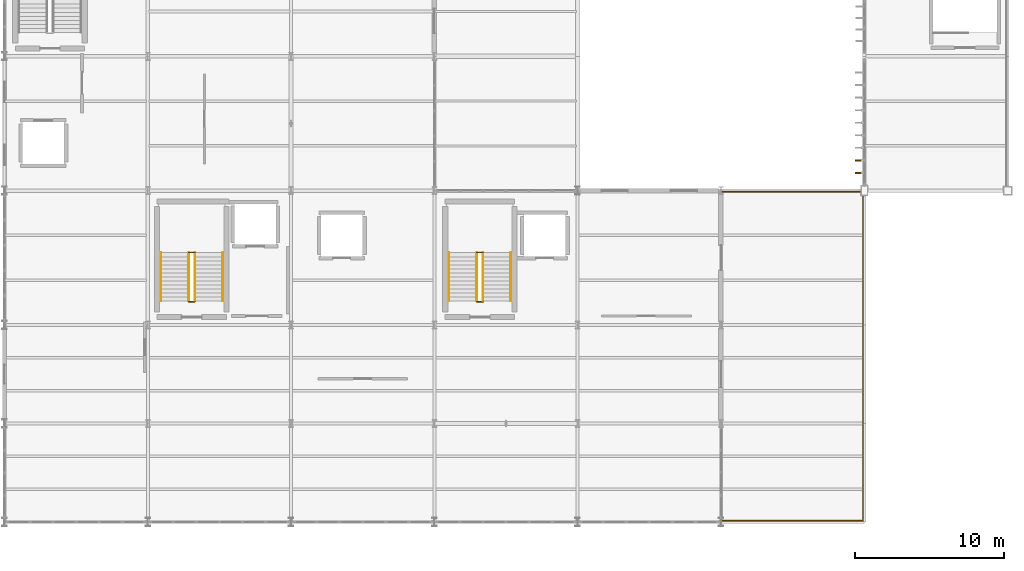
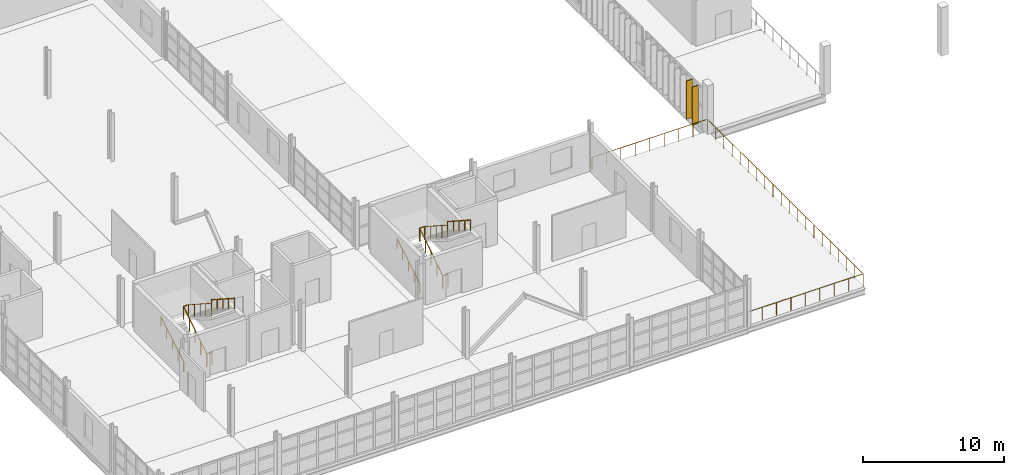
# One storey, part 76 of 82: 13 railings, 2 coverings.
"""IFC4 building model written with IfcOpenShell, lengths in metres."""

from ifc_helpers import new_model, si_unit, direction, frame, origin, origin_2d, place, context, subcontext, project, spatial, rectangle, circle, extrude, material, type_object, element, save


model = new_model("IFC4")

# Units and contexts
model_context = context("Model", 3, precision=1e-05, world=origin(), true_north=direction((0.0, 1.0)))
body_context = subcontext(model_context, "Body", "Model", "MODEL_VIEW")
ifc_project = project(units=[si_unit("LENGTHUNIT", "METRE"), si_unit("AREAUNIT", "SQUARE_METRE"), si_unit("VOLUMEUNIT", "CUBIC_METRE"), si_unit("PLANEANGLEUNIT", "RADIAN"), si_unit("MASSUNIT", "GRAM", prefix="KILO")], contexts=[model_context])

# Site, building, storey
site_placement = place(None, origin())
site = spatial("IfcSite", under=ifc_project, at=site_placement, CompositionType="ELEMENT")
building_placement = place(site_placement, origin())
building = spatial("IfcBuilding", under=site, at=building_placement, Name="Zarnetskaya Central Station", CompositionType="ELEMENT")
storey_placement = place(building_placement, frame((0.0, 0.0, 10.199951171875)))
storey = spatial("IfcBuildingStorey", under=building, at=storey_placement, Name="L02", CompositionType="ELEMENT", Elevation=10.199951171875)

# Coverings
ifc_material_1 = material(Name="Larch glulam GL28h", Category="wood")
covering_type = type_object("IfcCoveringType", Name="COV-LARCH-BLADE", PredefinedType="CLADDING", material=ifc_material_1)
for number, where, z_axis, x_axis, name in (
    (1, (57.25, 23.389892578125, 0.0), (0.0, 0.0, 1.0), (0.0, 1.0, 0.0), "Vertical GL28h larch gable screen blade CW-L02-088-01"),
    (2, (57.25, 24.22998046875, 0.0), (0.0, 0.0, 1.0), (0.0, 1.0, 0.0), "Vertical GL28h larch gable screen blade CW-L02-088-02"),
):
    element("IfcCovering", number, at=place(storey_placement, frame(where, z_axis=z_axis, x_axis=x_axis)), inside=storey, type_object=covering_type, Name=name, PredefinedType="CLADDING", context=body_context, shape_type="SweptSolid", body=[
        extrude(rectangle(XDim=0.090087890625, YDim=0.47998046875, at=origin_2d()), origin(), (0.0, 0.0, 1.0), 3.300048828125),
    ])

# Railings
ifc_material_2 = material(Name="Steel S355", Category="steel")
railing_type_1 = type_object("IfcRailingType", Name="RAIL-BAL-1100", PredefinedType="BALUSTRADE", material=ifc_material_2)
railing_1_placement = place(storey_placement, frame((48.080078125, 0.080078125, 0.0)))
element("IfcRailing", 3, at=railing_1_placement, inside=storey, type_object=railing_type_1, Name="Protective deck balustrade GRD-03", PredefinedType="BALUSTRADE", context=body_context, shape_type="SweptSolid", body=[
    extrude(circle(Radius=0.02392578125, at=origin_2d()), frame((0.0, 0.0, 1.09619140625), z_axis=(1.0, 0.0, 0.0), x_axis=(0.0, 1.0, 0.0)), (0.0, 0.0, 1.0), 9.43994140625),
    extrude(circle(Radius=0.02392578125, at=origin_2d()), frame((9.43994140625, 0.0, 1.09619140625), z_axis=(0.0, 1.0, 0.0), x_axis=(-1.0, 0.0, 0.0)), (0.0, 0.0, 1.0), 22.0400390625),
    extrude(circle(Radius=0.02392578125, at=origin_2d()), frame((9.43994140625, 22.0400390625, 1.09619140625), z_axis=(-1.0, 0.0, 0.0), x_axis=(0.0, -1.0, 0.0)), (0.0, 0.0, 1.0), 9.43994140625),
    extrude(circle(Radius=0.02099609375, at=origin_2d()), origin(), (0.0, 0.0, 1.0), 1.072021484375),
    extrude(circle(Radius=0.02099609375, at=origin_2d()), frame((1.179931640625, 0.0, 0.0)), (0.0, 0.0, 1.0), 1.072021484375),
    extrude(circle(Radius=0.02099609375, at=origin_2d()), frame((2.35986328125, 0.0, 0.0)), (0.0, 0.0, 1.0), 1.072021484375),
    extrude(circle(Radius=0.02099609375, at=origin_2d()), frame((3.5400390625, 0.0, 0.0)), (0.0, 0.0, 1.0), 1.072021484375),
    extrude(circle(Radius=0.02099609375, at=origin_2d()), frame((4.719970703125, 0.0, 0.0)), (0.0, 0.0, 1.0), 1.072021484375),
    extrude(circle(Radius=0.02099609375, at=origin_2d()), frame((5.89990234375, 0.0, 0.0)), (0.0, 0.0, 1.0), 1.072021484375),
    extrude(circle(Radius=0.02099609375, at=origin_2d()), frame((7.080078125, 0.0, 0.0)), (0.0, 0.0, 1.0), 1.072021484375),
    extrude(circle(Radius=0.02099609375, at=origin_2d()), frame((8.260009765625, 0.0, 0.0)), (0.0, 0.0, 1.0), 1.072021484375),
    extrude(circle(Radius=0.02099609375, at=origin_2d()), frame((9.43994140625, 0.0, 0.0)), (0.0, 0.0, 1.0), 1.072021484375),
    extrude(circle(Radius=0.02099609375, at=origin_2d()), frame((9.43994140625, 1.159912109375, 0.0)), (0.0, 0.0, 1.0), 1.072021484375),
    extrude(circle(Radius=0.02099609375, at=origin_2d()), frame((9.43994140625, 2.320068359375, 0.0)), (0.0, 0.0, 1.0), 1.072021484375),
    extrude(circle(Radius=0.02099609375, at=origin_2d()), frame((9.43994140625, 3.47998046875, 0.0)), (0.0, 0.0, 1.0), 1.072021484375),
    extrude(circle(Radius=0.02099609375, at=origin_2d()), frame((9.43994140625, 4.639892578125, 0.0)), (0.0, 0.0, 1.0), 1.072021484375),
    extrude(circle(Radius=0.02099609375, at=origin_2d()), frame((9.43994140625, 5.800048828125, 0.0)), (0.0, 0.0, 1.0), 1.072021484375),
    extrude(circle(Radius=0.02099609375, at=origin_2d()), frame((9.43994140625, 6.9599609375, 0.0)), (0.0, 0.0, 1.0), 1.072021484375),
    extrude(circle(Radius=0.02099609375, at=origin_2d()), frame((9.43994140625, 8.1201171875, 0.0)), (0.0, 0.0, 1.0), 1.072021484375),
    extrude(circle(Radius=0.02099609375, at=origin_2d()), frame((9.43994140625, 9.280029296875, 0.0)), (0.0, 0.0, 1.0), 1.072021484375),
    extrude(circle(Radius=0.02099609375, at=origin_2d()), frame((9.43994140625, 10.43994140625, 0.0)), (0.0, 0.0, 1.0), 1.072021484375),
    extrude(circle(Radius=0.02099609375, at=origin_2d()), frame((9.43994140625, 11.60009765625, 0.0)), (0.0, 0.0, 1.0), 1.072021484375),
    extrude(circle(Radius=0.02099609375, at=origin_2d()), frame((9.43994140625, 12.760009765625, 0.0)), (0.0, 0.0, 1.0), 1.072021484375),
    extrude(circle(Radius=0.02099609375, at=origin_2d()), frame((9.43994140625, 13.919921875, 0.0)), (0.0, 0.0, 1.0), 1.072021484375),
    extrude(circle(Radius=0.02099609375, at=origin_2d()), frame((9.43994140625, 15.080078125, 0.0)), (0.0, 0.0, 1.0), 1.072021484375),
    extrude(circle(Radius=0.02099609375, at=origin_2d()), frame((9.43994140625, 16.239990234375, 0.0)), (0.0, 0.0, 1.0), 1.072021484375),
    extrude(circle(Radius=0.02099609375, at=origin_2d()), frame((9.43994140625, 17.400146484375, 0.0)), (0.0, 0.0, 1.0), 1.072021484375),
    extrude(circle(Radius=0.02099609375, at=origin_2d()), frame((9.43994140625, 18.56005859375, 0.0)), (0.0, 0.0, 1.0), 1.072021484375),
    extrude(circle(Radius=0.02099609375, at=origin_2d()), frame((9.43994140625, 19.719970703125, 0.0)), (0.0, 0.0, 1.0), 1.072021484375),
    extrude(circle(Radius=0.02099609375, at=origin_2d()), frame((9.43994140625, 20.880126953125, 0.0)), (0.0, 0.0, 1.0), 1.072021484375),
    extrude(circle(Radius=0.02099609375, at=origin_2d()), frame((9.43994140625, 22.0400390625, 0.0)), (0.0, 0.0, 1.0), 1.072021484375),
    extrude(circle(Radius=0.02099609375, at=origin_2d()), frame((8.260009765625, 22.0400390625, 0.0)), (0.0, 0.0, 1.0), 1.072021484375),
    extrude(circle(Radius=0.02099609375, at=origin_2d()), frame((7.080078125, 22.0400390625, 0.0)), (0.0, 0.0, 1.0), 1.072021484375),
    extrude(circle(Radius=0.02099609375, at=origin_2d()), frame((5.89990234375, 22.0400390625, 0.0)), (0.0, 0.0, 1.0), 1.072021484375),
    extrude(circle(Radius=0.02099609375, at=origin_2d()), frame((4.719970703125, 22.0400390625, 0.0)), (0.0, 0.0, 1.0), 1.072021484375),
    extrude(circle(Radius=0.02099609375, at=origin_2d()), frame((3.5400390625, 22.0400390625, 0.0)), (0.0, 0.0, 1.0), 1.072021484375),
    extrude(circle(Radius=0.02099609375, at=origin_2d()), frame((2.35986328125, 22.0400390625, 0.0)), (0.0, 0.0, 1.0), 1.072021484375),
    extrude(circle(Radius=0.02099609375, at=origin_2d()), frame((1.179931640625, 22.0400390625, 0.0)), (0.0, 0.0, 1.0), 1.072021484375),
    extrude(circle(Radius=0.02099609375, at=origin_2d()), frame((0.0, 22.0400390625, 0.0)), (0.0, 0.0, 1.0), 1.072021484375),
])
railing_type_2 = type_object("IfcRailingType", Name="RAIL-HAND-900", PredefinedType="HANDRAIL", material=ifc_material_2)
railing_2_placement = place(storey_placement, frame((10.47998046875, 14.800048828125, 0.16162109375)))
element("IfcRailing", 4, at=railing_2_placement, inside=storey, type_object=railing_type_2, Name="Stair ST-C1 L02 flight 1 handrail", PredefinedType="HANDRAIL", context=body_context, shape_type="SweptSolid", body=[
    extrude(circle(Radius=0.02392578125, at=origin_2d()), frame((0.0, 0.0, 0.8759765625), z_axis=(0.0, 0.858136976317, 0.513420811691), x_axis=(-1.0, 0.0, 0.0)), (0.0, 0.0, 1.0), 3.775634765625),
    extrude(circle(Radius=0.02099609375, at=origin_2d()), origin(), (0.0, 0.0, 1.0), 0.851806640625),
    extrude(circle(Radius=0.02099609375, at=origin_2d()), frame((0.0, 0.81005859375, 0.484619140625)), (0.0, 0.0, 1.0), 0.851806640625),
    extrude(circle(Radius=0.02099609375, at=origin_2d()), frame((0.0, 1.6201171875, 0.96923828125)), (0.0, 0.0, 1.0), 0.851806640625),
    extrude(circle(Radius=0.02099609375, at=origin_2d()), frame((0.0, 2.429931640625, 1.453857421875)), (0.0, 0.0, 1.0), 0.851806640625),
    extrude(circle(Radius=0.02099609375, at=origin_2d()), frame((0.0, 3.239990234375, 1.9384765625)), (0.0, 0.0, 1.0), 0.851806640625),
])
railing_3_placement = place(storey_placement, frame((14.6201171875, 18.0400390625, 2.10009765625)))
element("IfcRailing", 5, at=railing_3_placement, inside=storey, type_object=railing_type_2, Name="Stair ST-C1 L02 flight 2 handrail", PredefinedType="HANDRAIL", context=body_context, shape_type="SweptSolid", body=[
    extrude(circle(Radius=0.02392578125, at=origin_2d()), frame((0.0, 0.0, 0.8759765625), z_axis=(0.0, -0.839169554186, 0.543869891911), x_axis=(1.0, 0.0, 0.0)), (0.0, 0.0, 1.0), 3.86083984375),
    extrude(circle(Radius=0.02099609375, at=origin_2d()), origin(), (0.0, 0.0, 1.0), 0.851806640625),
    extrude(circle(Radius=0.02099609375, at=origin_2d()), frame((0.0, -0.81005859375, 0.52490234375)), (0.0, 0.0, 1.0), 0.851806640625),
    extrude(circle(Radius=0.02099609375, at=origin_2d()), frame((0.0, -1.6201171875, 1.0498046875)), (0.0, 0.0, 1.0), 0.851806640625),
    extrude(circle(Radius=0.02099609375, at=origin_2d()), frame((0.0, -2.429931640625, 1.574951171875)), (0.0, 0.0, 1.0), 0.851806640625),
    extrude(circle(Radius=0.02099609375, at=origin_2d()), frame((0.0, -3.239990234375, 2.099853515625)), (0.0, 0.0, 1.0), 0.851806640625),
])
railing_4_placement = place(storey_placement, frame((29.780029296875, 14.800048828125, 0.16162109375)))
element("IfcRailing", 6, at=railing_4_placement, inside=storey, type_object=railing_type_2, Name="Stair ST-C3 L02 flight 1 handrail", PredefinedType="HANDRAIL", context=body_context, shape_type="SweptSolid", body=[
    extrude(circle(Radius=0.02392578125, at=origin_2d()), frame((0.0, 0.0, 0.8759765625), z_axis=(0.0, 0.858136976317, 0.513420811691), x_axis=(-1.0, 0.0, 0.0)), (0.0, 0.0, 1.0), 3.775634765625),
    extrude(circle(Radius=0.02099609375, at=origin_2d()), origin(), (0.0, 0.0, 1.0), 0.851806640625),
    extrude(circle(Radius=0.02099609375, at=origin_2d()), frame((0.0, 0.81005859375, 0.484619140625)), (0.0, 0.0, 1.0), 0.851806640625),
    extrude(circle(Radius=0.02099609375, at=origin_2d()), frame((0.0, 1.6201171875, 0.96923828125)), (0.0, 0.0, 1.0), 0.851806640625),
    extrude(circle(Radius=0.02099609375, at=origin_2d()), frame((0.0, 2.429931640625, 1.453857421875)), (0.0, 0.0, 1.0), 0.851806640625),
    extrude(circle(Radius=0.02099609375, at=origin_2d()), frame((0.0, 3.239990234375, 1.9384765625)), (0.0, 0.0, 1.0), 0.851806640625),
])
railing_5_placement = place(storey_placement, frame((33.919921875, 18.0400390625, 2.10009765625)))
element("IfcRailing", 7, at=railing_5_placement, inside=storey, type_object=railing_type_2, Name="Stair ST-C3 L02 flight 2 handrail", PredefinedType="HANDRAIL", context=body_context, shape_type="SweptSolid", body=[
    extrude(circle(Radius=0.02392578125, at=origin_2d()), frame((0.0, 0.0, 0.8759765625), z_axis=(0.0, -0.839169554186, 0.543869891911), x_axis=(1.0, 0.0, 0.0)), (0.0, 0.0, 1.0), 3.86083984375),
    extrude(circle(Radius=0.02099609375, at=origin_2d()), origin(), (0.0, 0.0, 1.0), 0.851806640625),
    extrude(circle(Radius=0.02099609375, at=origin_2d()), frame((0.0, -0.81005859375, 0.52490234375)), (0.0, 0.0, 1.0), 0.851806640625),
    extrude(circle(Radius=0.02099609375, at=origin_2d()), frame((0.0, -1.6201171875, 1.0498046875)), (0.0, 0.0, 1.0), 0.851806640625),
    extrude(circle(Radius=0.02099609375, at=origin_2d()), frame((0.0, -2.429931640625, 1.574951171875)), (0.0, 0.0, 1.0), 0.851806640625),
    extrude(circle(Radius=0.02099609375, at=origin_2d()), frame((0.0, -3.239990234375, 2.099853515625)), (0.0, 0.0, 1.0), 0.851806640625),
])
railing_type_3 = type_object("IfcRailingType", Name="RAIL-STAIR-GRD", PredefinedType="BALUSTRADE", material=ifc_material_2)
railing_6_placement = place(storey_placement, frame((12.340087890625, 14.760009765625, 0.0)))
element("IfcRailing", 8, at=railing_6_placement, inside=storey, type_object=railing_type_3, Name="Stair ST-C1 L02 floor well guard", PredefinedType="BALUSTRADE", context=body_context, shape_type="SweptSolid", body=[
    extrude(circle(Radius=0.02392578125, at=origin_2d()), frame((0.0, 0.0, 1.09619140625), z_axis=(1.0, 0.0, 0.0), x_axis=(0.0, 1.0, 0.0)), (0.0, 0.0, 1.0), 0.419921875),
    extrude(circle(Radius=0.02099609375, at=origin_2d()), origin(), (0.0, 0.0, 1.0), 1.072021484375),
    extrude(circle(Radius=0.02099609375, at=origin_2d()), frame((0.419921875, 0.0, 0.0)), (0.0, 0.0, 1.0), 1.072021484375),
])
railing_7_placement = place(storey_placement, frame((12.340087890625, 14.800048828125, 0.0)))
element("IfcRailing", 9, at=railing_7_placement, inside=storey, type_object=railing_type_3, Name="Stair ST-C1 L02 flight 1 well guard", PredefinedType="BALUSTRADE", context=body_context, shape_type="SweptSolid", body=[
    extrude(circle(Radius=0.02392578125, at=origin_2d()), frame((0.0, 0.0, 1.09619140625), z_axis=(0.0, 0.839140694364, 0.543914418877), x_axis=(-1.0, 0.0, 0.0)), (0.0, 0.0, 1.0), 3.861083984375),
    extrude(circle(Radius=0.02099609375, at=origin_2d()), origin(), (0.0, 0.0, 1.0), 1.072021484375),
    extrude(circle(Radius=0.02099609375, at=origin_2d()), frame((0.0, 0.81005859375, 0.52490234375)), (0.0, 0.0, 1.0), 1.072021484375),
    extrude(circle(Radius=0.02099609375, at=origin_2d()), frame((0.0, 1.6201171875, 1.050048828125)), (0.0, 0.0, 1.0), 1.072021484375),
    extrude(circle(Radius=0.02099609375, at=origin_2d()), frame((0.0, 2.429931640625, 1.5751953125)), (0.0, 0.0, 1.0), 1.072021484375),
    extrude(circle(Radius=0.02099609375, at=origin_2d()), frame((0.0, 3.239990234375, 2.10009765625)), (0.0, 0.0, 1.0), 1.072021484375),
])
railing_8_placement = place(storey_placement, frame((12.340087890625, 18.06005859375, 2.10009765625)))
element("IfcRailing", 10, at=railing_8_placement, inside=storey, type_object=railing_type_3, Name="Stair ST-C1 L02 half-landing well guard", PredefinedType="BALUSTRADE", context=body_context, shape_type="SweptSolid", body=[
    extrude(circle(Radius=0.02392578125, at=origin_2d()), frame((0.0, 0.0, 1.09619140625), z_axis=(1.0, 0.0, 0.0), x_axis=(0.0, 1.0, 0.0)), (0.0, 0.0, 1.0), 0.419921875),
    extrude(circle(Radius=0.02099609375, at=origin_2d()), origin(), (0.0, 0.0, 1.0), 1.072021484375),
    extrude(circle(Radius=0.02099609375, at=origin_2d()), frame((0.419921875, 0.0, 0.0)), (0.0, 0.0, 1.0), 1.072021484375),
])
railing_9_placement = place(storey_placement, frame((12.760009765625, 18.0400390625, 2.10009765625)))
element("IfcRailing", 11, at=railing_9_placement, inside=storey, type_object=railing_type_3, Name="Stair ST-C1 L02 flight 2 well guard", PredefinedType="BALUSTRADE", context=body_context, shape_type="SweptSolid", body=[
    extrude(circle(Radius=0.02392578125, at=origin_2d()), frame((0.0, 0.0, 1.09619140625), z_axis=(0.0, -0.839169554186, 0.543869891911), x_axis=(1.0, 0.0, 0.0)), (0.0, 0.0, 1.0), 3.86083984375),
    extrude(circle(Radius=0.02099609375, at=origin_2d()), origin(), (0.0, 0.0, 1.0), 1.072021484375),
    extrude(circle(Radius=0.02099609375, at=origin_2d()), frame((0.0, -0.81005859375, 0.52490234375)), (0.0, 0.0, 1.0), 1.072021484375),
    extrude(circle(Radius=0.02099609375, at=origin_2d()), frame((0.0, -1.6201171875, 1.0498046875)), (0.0, 0.0, 1.0), 1.072021484375),
    extrude(circle(Radius=0.02099609375, at=origin_2d()), frame((0.0, -2.429931640625, 1.574951171875)), (0.0, 0.0, 1.0), 1.072021484375),
    extrude(circle(Radius=0.02099609375, at=origin_2d()), frame((0.0, -3.239990234375, 2.099853515625)), (0.0, 0.0, 1.0), 1.072021484375),
])
railing_10_placement = place(storey_placement, frame((31.639892578125, 14.760009765625, 0.0)))
element("IfcRailing", 12, at=railing_10_placement, inside=storey, type_object=railing_type_3, Name="Stair ST-C3 L02 floor well guard", PredefinedType="BALUSTRADE", context=body_context, shape_type="SweptSolid", body=[
    extrude(circle(Radius=0.02392578125, at=origin_2d()), frame((0.0, 0.0, 1.09619140625), z_axis=(1.0, 0.0, 0.0), x_axis=(0.0, 1.0, 0.0)), (0.0, 0.0, 1.0), 0.420166015625),
    extrude(circle(Radius=0.02099609375, at=origin_2d()), origin(), (0.0, 0.0, 1.0), 1.072021484375),
    extrude(circle(Radius=0.02099609375, at=origin_2d()), frame((0.420166015625, 0.0, 0.0)), (0.0, 0.0, 1.0), 1.072021484375),
])
railing_11_placement = place(storey_placement, frame((31.639892578125, 14.800048828125, 0.0)))
element("IfcRailing", 13, at=railing_11_placement, inside=storey, type_object=railing_type_3, Name="Stair ST-C3 L02 flight 1 well guard", PredefinedType="BALUSTRADE", context=body_context, shape_type="SweptSolid", body=[
    extrude(circle(Radius=0.02392578125, at=origin_2d()), frame((0.0, 0.0, 1.09619140625), z_axis=(0.0, 0.839140694364, 0.543914418877), x_axis=(-1.0, 0.0, 0.0)), (0.0, 0.0, 1.0), 3.861083984375),
    extrude(circle(Radius=0.02099609375, at=origin_2d()), origin(), (0.0, 0.0, 1.0), 1.072021484375),
    extrude(circle(Radius=0.02099609375, at=origin_2d()), frame((0.0, 0.81005859375, 0.52490234375)), (0.0, 0.0, 1.0), 1.072021484375),
    extrude(circle(Radius=0.02099609375, at=origin_2d()), frame((0.0, 1.6201171875, 1.050048828125)), (0.0, 0.0, 1.0), 1.072021484375),
    extrude(circle(Radius=0.02099609375, at=origin_2d()), frame((0.0, 2.429931640625, 1.5751953125)), (0.0, 0.0, 1.0), 1.072021484375),
    extrude(circle(Radius=0.02099609375, at=origin_2d()), frame((0.0, 3.239990234375, 2.10009765625)), (0.0, 0.0, 1.0), 1.072021484375),
])
railing_12_placement = place(storey_placement, frame((31.639892578125, 18.06005859375, 2.10009765625)))
element("IfcRailing", 14, at=railing_12_placement, inside=storey, type_object=railing_type_3, Name="Stair ST-C3 L02 half-landing well guard", PredefinedType="BALUSTRADE", context=body_context, shape_type="SweptSolid", body=[
    extrude(circle(Radius=0.02392578125, at=origin_2d()), frame((0.0, 0.0, 1.09619140625), z_axis=(1.0, 0.0, 0.0), x_axis=(0.0, 1.0, 0.0)), (0.0, 0.0, 1.0), 0.420166015625),
    extrude(circle(Radius=0.02099609375, at=origin_2d()), origin(), (0.0, 0.0, 1.0), 1.072021484375),
    extrude(circle(Radius=0.02099609375, at=origin_2d()), frame((0.420166015625, 0.0, 0.0)), (0.0, 0.0, 1.0), 1.072021484375),
])
railing_13_placement = place(storey_placement, frame((32.06005859375, 18.0400390625, 2.10009765625)))
element("IfcRailing", 15, at=railing_13_placement, inside=storey, type_object=railing_type_3, Name="Stair ST-C3 L02 flight 2 well guard", PredefinedType="BALUSTRADE", context=body_context, shape_type="SweptSolid", body=[
    extrude(circle(Radius=0.02392578125, at=origin_2d()), frame((0.0, 0.0, 1.09619140625), z_axis=(0.0, -0.839169554186, 0.543869891911), x_axis=(1.0, 0.0, 0.0)), (0.0, 0.0, 1.0), 3.86083984375),
    extrude(circle(Radius=0.02099609375, at=origin_2d()), origin(), (0.0, 0.0, 1.0), 1.072021484375),
    extrude(circle(Radius=0.02099609375, at=origin_2d()), frame((0.0, -0.81005859375, 0.52490234375)), (0.0, 0.0, 1.0), 1.072021484375),
    extrude(circle(Radius=0.02099609375, at=origin_2d()), frame((0.0, -1.6201171875, 1.0498046875)), (0.0, 0.0, 1.0), 1.072021484375),
    extrude(circle(Radius=0.02099609375, at=origin_2d()), frame((0.0, -2.429931640625, 1.574951171875)), (0.0, 0.0, 1.0), 1.072021484375),
    extrude(circle(Radius=0.02099609375, at=origin_2d()), frame((0.0, -3.239990234375, 2.099853515625)), (0.0, 0.0, 1.0), 1.072021484375),
])

save(model, "model.ifc")
